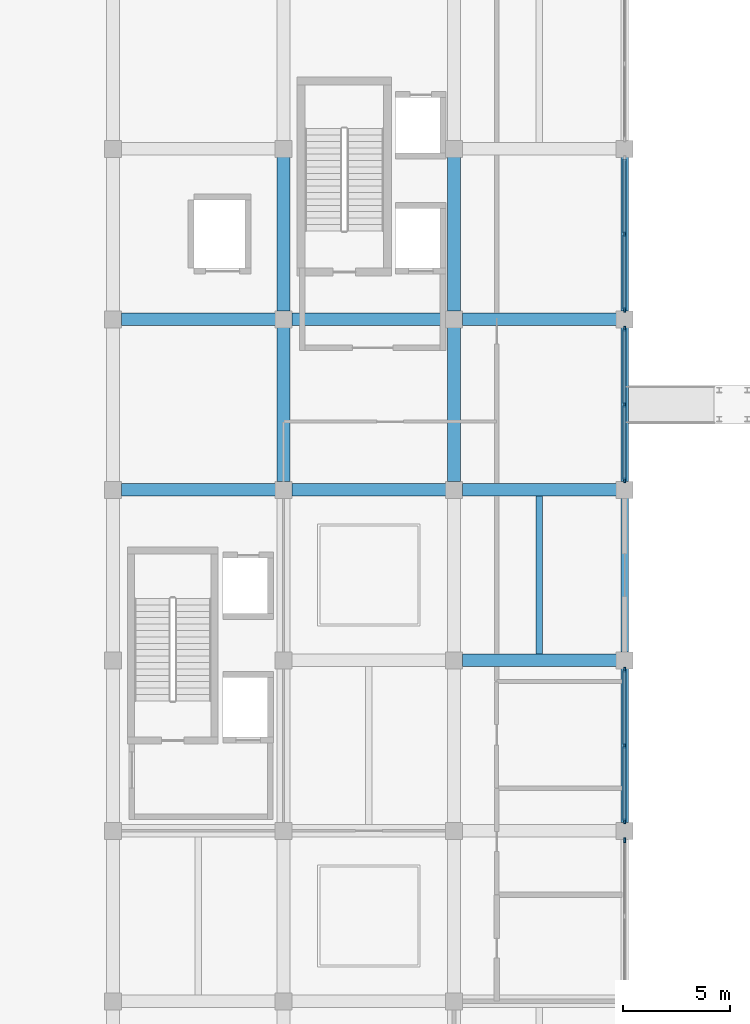
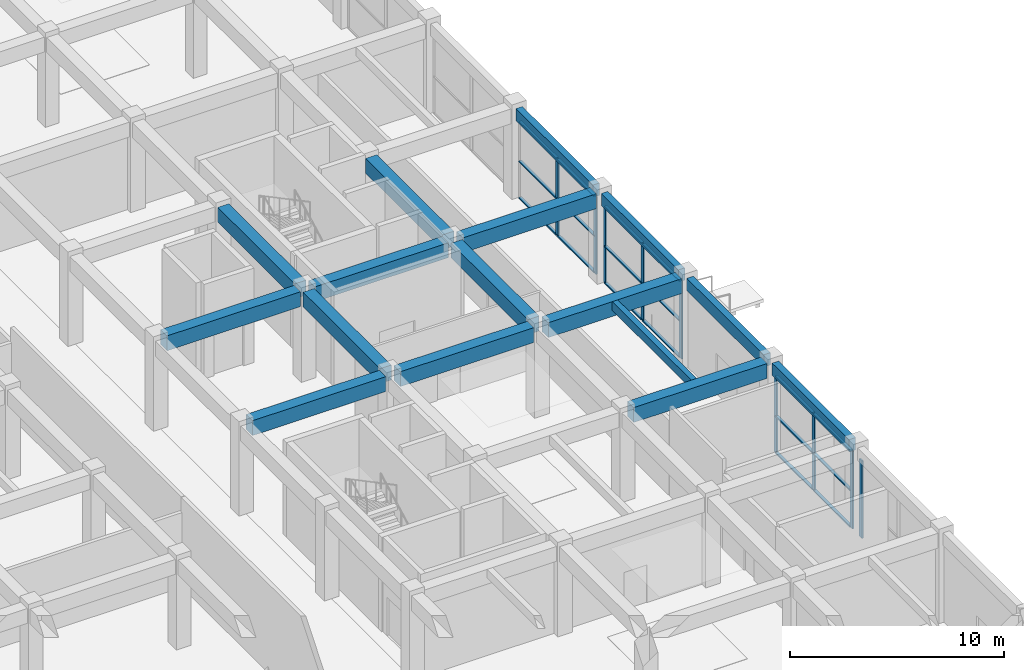
# One storey, part 38 of 86: 27 members, 16 beams, 4 elements without a shape of their own.
"""IFC4 building model written with IfcOpenShell, lengths in metres."""

import ifcopenshell
import ifcopenshell.guid

model = None  # the IFC model being written
_history = None  # IfcOwnerHistory: only IFC2X3 demands one
_inside = {}  # id of a spatial element -> (the spatial element, [elements in it])
_under = {}  # id of a project, library or spatial element -> (it, [spatial elements below it])
_declared = {}  # id of a project -> (the project, [libraries it declares])
_typed = {}  # id of a type object -> (the type object, [elements of that type])
_made_of = {}  # id of a material, layer set ... -> (it, [elements and type objects made of it])


def new_model(schema):
    """Start an empty IFC model of exactly this schema.

    Asked for "IFC4X3", IfcOpenShell would pick the latest addendum, in which some entities
    have other attributes; the version numbers below select the first issue.
    IFC2X3 requires an IfcOwnerHistory on every rooted entity: one is made here for all.
    """
    global model, _history
    if schema == "IFC4X3":
        model = ifcopenshell.file(schema_version=(4, 3, 0, 0))
    else:
        model = ifcopenshell.file(schema=schema)
    _inside.clear()
    _under.clear()
    _declared.clear()
    _typed.clear()
    _made_of.clear()
    _history = None
    if model.schema == "IFC2X3":
        org = make("IfcOrganization", Name="unknown")
        user = make(
            "IfcPersonAndOrganization",
            ThePerson=make("IfcPerson", FamilyName="unknown"),
            TheOrganization=org,
        )
        app = make(
            "IfcApplication",
            ApplicationDeveloper=org,
            Version="unknown",
            ApplicationFullName="unknown",
            ApplicationIdentifier="unknown",
        )
        _history = make(
            "IfcOwnerHistory",
            OwningUser=user,
            OwningApplication=app,
            ChangeAction="ADDED",
            CreationDate=0,
        )
    return model


def make(cls, **values):
    """One entity of the class cls with the attributes given. An attribute that is None is left unset."""
    return model.create_entity(
        cls, **{name: value for name, value in values.items() if value is not None}
    )


def rooted(cls, **values):
    """An entity with a GlobalId (a new one), such as an element, a storey or a relation."""
    return make(cls, GlobalId=ifcopenshell.guid.new(), OwnerHistory=_history, **values)


def si_unit(unit_type, name, prefix=None):
    """IfcSIUnit, for example si_unit("LENGTHUNIT", "METRE", prefix="MILLI")."""
    return make("IfcSIUnit", UnitType=unit_type, Prefix=prefix, Name=name)


def assignment(units):
    """IfcUnitAssignment: the units of a project."""
    return None if units is None else make("IfcUnitAssignment", Units=units)


def point(xyz):
    """IfcCartesianPoint."""
    return None if xyz is None else make("IfcCartesianPoint", Coordinates=xyz)


def direction(xyz):
    """IfcDirection."""
    return None if xyz is None else make("IfcDirection", DirectionRatios=xyz)


def frame(location, z_axis=None, x_axis=None):
    """IfcAxis2Placement3D, a coordinate frame: its origin and axes. An axis left out is left unset."""
    return make(
        "IfcAxis2Placement3D",
        Location=point(location),
        Axis=direction(z_axis),
        RefDirection=direction(x_axis),
    )


def frame_2d(location, x_axis=None):
    """IfcAxis2Placement2D, a coordinate frame in the plane: its origin and x axis."""
    return make(
        "IfcAxis2Placement2D", Location=point(location), RefDirection=direction(x_axis)
    )


def origin():
    """The frame at (0, 0, 0) with its axes left unset."""
    return frame((0.0, 0.0, 0.0))


def origin_2d():
    """The frame at (0, 0) in the plane with its x axis left unset."""
    return frame_2d((0.0, 0.0))


def place(relative_to, where):
    """IfcLocalPlacement: puts the frame where relative to a parent placement (None: the world)."""
    return make(
        "IfcLocalPlacement", PlacementRelTo=relative_to, RelativePlacement=where
    )


def context(
    kind, dimensions, precision=None, world=None, true_north=None, identifier=None
):
    """IfcGeometricRepresentationContext, for example the 3D "Model" context."""
    return make(
        "IfcGeometricRepresentationContext",
        ContextIdentifier=identifier,
        ContextType=kind,
        CoordinateSpaceDimension=dimensions,
        Precision=precision,
        WorldCoordinateSystem=world,
        TrueNorth=true_north,
    )


def subcontext(parent, identifier, kind, view, scale=None):
    """IfcGeometricRepresentationSubContext, for example "Body" below "Model"."""
    return make(
        "IfcGeometricRepresentationSubContext",
        ContextIdentifier=identifier,
        ContextType=kind,
        ParentContext=parent,
        TargetScale=scale,
        TargetView=view,
    )


def project(units=None, contexts=None):
    """IfcProject with its units and contexts."""
    return rooted(
        "IfcProject",
        Name="project",
        RepresentationContexts=contexts,
        UnitsInContext=assignment(units),
    )


def spatial(cls, under=None, at=None, **own):
    """A site, building, storey or space (cls), placed at a placement, below another one or the project."""
    s = rooted(cls, ObjectPlacement=at, **own)
    if under is not None:
        _under.setdefault(under.id(), (under, []))[1].append(s)
    return s


def profile(cls, at=None, kind="AREA", **sizes):
    """A parametric profile (cls). Its sizes go by their IFC names, for example OverallWidth=200.0."""
    return make(cls, ProfileType=kind, Position=at, **sizes)


def rectangle(**sizes):
    """IfcRectangleProfileDef."""
    return profile("IfcRectangleProfileDef", **sizes)


def extrude(swept, where, along, depth):
    """IfcExtrudedAreaSolid: the profile swept, set in the frame where, extruded along a direction by depth."""
    return make(
        "IfcExtrudedAreaSolid",
        SweptArea=swept,
        Position=where,
        ExtrudedDirection=direction(along),
        Depth=depth,
    )


def shape(context_of_items, identifier, shape_type, items):
    """IfcShapeRepresentation: the items that make up one representation, for example the "Body"."""
    return make(
        "IfcShapeRepresentation",
        ContextOfItems=context_of_items,
        RepresentationIdentifier=identifier,
        RepresentationType=shape_type,
        Items=items,
    )


def material(Name=None, Category=None):
    """IfcMaterial."""
    return make("IfcMaterial", Name=Name, Category=Category)


def material_profile(
    of_material, cross_section, Name=None, Category=None, Priority=None
):
    """IfcMaterialProfile: a cross section and its material."""
    return make(
        "IfcMaterialProfile",
        Name=Name,
        Material=of_material,
        Profile=cross_section,
        Priority=Priority,
        Category=Category,
    )


def profile_set(profiles, Name=None, composite=None):
    """IfcMaterialProfileSet."""
    return make(
        "IfcMaterialProfileSet",
        Name=Name,
        MaterialProfiles=profiles,
        CompositeProfile=composite,
    )


def made_of(thing, what):
    """Note that an element or type object is made of a material, layer set ...; save() writes the relation."""
    if what is not None:
        _made_of.setdefault(what.id(), (what, []))[1].append(thing)
    return thing


def type_object(cls, material=None, **own):
    """A type object (cls), such as IfcWallType, which elements share."""
    return made_of(rooted(cls, **own), material)


def element(
    cls,
    number,
    at=None,
    inside=None,
    cuts=None,
    type_object=None,
    material=None,
    context=None,
    identifier="Body",
    shape_type=None,
    held_by="IfcProductDefinitionShape",
    body=None,
    shapes=None,
    **own,
):
    """One element of the class cls, such as IfcWall. Its Tag is "e" and its number.

    at: its placement. inside: the storey or other place that contains it. cuts: it is an
    opening in that element (IfcRelVoidsElement). A single representation is given by context,
    identifier, shape_type and body (its items); several are given by shapes. held_by: the class
    of the entity that holds the representations. save() writes the other relations.
    """
    e = rooted(cls, Tag="e%d" % number, ObjectPlacement=at, **own)
    if body is not None:
        shapes = [shape(context, identifier, shape_type, body)]
    if shapes is not None:
        e.Representation = make(held_by, Representations=shapes)
    if inside is not None:
        _inside.setdefault(inside.id(), (inside, []))[1].append(e)
    if cuts is not None:
        rooted(
            "IfcRelVoidsElement", RelatingBuildingElement=cuts, RelatedOpeningElement=e
        )
    if type_object is not None:
        _typed.setdefault(type_object.id(), (type_object, []))[1].append(e)
    return made_of(e, material)


def aggregate(whole, parts):
    """IfcRelAggregates: a whole, such as a stair, and the parts it consists of."""
    return rooted("IfcRelAggregates", RelatingObject=whole, RelatedObjects=parts)


def save(model, path):
    """Write the relations noted so far, then the file.

    IfcRelAggregates (storeys below a building ...), IfcRelContainedInSpatialStructure (elements
    in a storey), IfcRelDefinesByType, IfcRelAssociatesMaterial and IfcRelDeclares: one each for
    every whole, place, type object, material and project.
    """
    for whole, parts in _under.values():
        aggregate(whole, parts)
    for where, things in _inside.values():
        rooted(
            "IfcRelContainedInSpatialStructure",
            RelatedElements=things,
            RelatingStructure=where,
        )
    for kind, things in _typed.values():
        rooted("IfcRelDefinesByType", RelatedObjects=things, RelatingType=kind)
    for what, things in _made_of.values():
        rooted("IfcRelAssociatesMaterial", RelatedObjects=things, RelatingMaterial=what)
    for by, libraries in _declared.values():
        rooted("IfcRelDeclares", RelatingContext=by, RelatedDefinitions=libraries)
    model.write(path)


model = new_model("IFC4")

# Units and contexts
model_context = context("Model", 3, precision=1e-05, world=origin(), true_north=direction((0.0, 1.0)))
body_context = subcontext(model_context, "Body", "Model", "MODEL_VIEW")
ifc_project = project(units=[si_unit("LENGTHUNIT", "METRE"), si_unit("AREAUNIT", "SQUARE_METRE"), si_unit("VOLUMEUNIT", "CUBIC_METRE"), si_unit("PLANEANGLEUNIT", "RADIAN"), si_unit("MASSUNIT", "GRAM", prefix="KILO")], contexts=[model_context])

# Site, building, storey
site_placement = place(None, origin())
site = spatial("IfcSite", under=ifc_project, at=site_placement, CompositionType="ELEMENT")
building_placement = place(site_placement, origin())
building = spatial("IfcBuilding", under=site, at=building_placement, Name="Kenh Van Central Station", CompositionType="ELEMENT")
storey_placement = place(building_placement, origin())
storey = spatial("IfcBuildingStorey", under=building, at=storey_placement, Name="L00", CompositionType="ELEMENT", Elevation=0.0)

# Beams
ifc_material_1 = material(Name="Concrete C35/45", Category="concrete")
ifc_material_profile_1 = material_profile(ifc_material_1, rectangle(XDim=0.60009765625, YDim=0.85009765625, at=origin_2d()), Name="RC 600x850")
ifc_profile_set_1 = profile_set([ifc_material_profile_1], Name="Concrete C35/45")
beam_type_1 = type_object("IfcBeamType", Name="BM-RC-600x850", PredefinedType="BEAM", material=ifc_profile_set_1)
for number, where, z_axis, x_axis, name in (
    (1, (168.389892578125, 32.0, 4.695068359375), (1.0, 0.0, 0.0), (0.0, 1.0, 0.0), "L00 beam 0405"),
    (2, (152.389892578125, 40.0, 4.695068359375), (1.0, 0.0, 0.0), (0.0, 1.0, 0.0), "L00 beam 0423"),
    (3, (160.389892578125, 40.0, 4.695068359375), (1.0, 0.0, 0.0), (0.0, 1.0, 0.0), "L00 beam 0424"),
    (4, (168.389892578125, 40.0, 4.695068359375), (1.0, 0.0, 0.0), (0.0, 1.0, 0.0), "L00 beam 0425"),
    (5, (152.389892578125, 48.0, 4.695068359375), (1.0, 0.0, 0.0), (0.0, 1.0, 0.0), "L00 beam 0434"),
    (6, (160.389892578125, 48.0, 4.695068359375), (1.0, 0.0, 0.0), (0.0, 1.0, 0.0), "L00 beam 0435"),
    (7, (168.389892578125, 48.0, 4.695068359375), (1.0, 0.0, 0.0), (0.0, 1.0, 0.0), "L00 beam 0436"),
    (8, (160.0, 40.389892578125, 4.695068359375), (0.0, 1.0, 0.0), (-1.0, 0.0, 0.0), "L00 beam 0559"),
    (9, (160.0, 48.389892578125, 4.695068359375), (0.0, 1.0, 0.0), (-1.0, 0.0, 0.0), "L00 beam 0560"),
    (10, (168.0, 40.389892578125, 4.695068359375), (0.0, 1.0, 0.0), (-1.0, 0.0, 0.0), "L00 beam 0570"),
    (11, (168.0, 48.389892578125, 4.695068359375), (0.0, 1.0, 0.0), (-1.0, 0.0, 0.0), "L00 beam 0571"),
):
    element("IfcBeam", number, at=place(storey_placement, frame(where, z_axis=z_axis, x_axis=x_axis)), inside=storey, type_object=beam_type_1, Name=name, PredefinedType="BEAM", context=body_context, shape_type="SweptSolid", body=[
        extrude(rectangle(XDim=0.60009765625, YDim=0.85009765625, at=origin_2d()), origin(), (0.0, 0.0, 1.0), 7.22021484375),
    ])

# Curtain wall, member
ifc_material_2 = material(Name="Champagne anodised aluminium", Category="aluminium")
curtain_wall_type = type_object("IfcCurtainWallType", Name="CW-OPER-A", PredefinedType="NOTDEFINED", material=ifc_material_2)
curtain_wall_1_placement = place(storey_placement, origin())
curtain_wall_1 = element("IfcCurtainWall", 12, at=curtain_wall_1_placement, inside=storey, type_object=curtain_wall_type, Name="L00 curtain wall 054", PredefinedType="NOTDEFINED")
ifc_material_profile_2 = material_profile(ifc_material_2, rectangle(XDim=0.087890625, YDim=0.239990234375, at=origin_2d()), Name="AL 88x240")
ifc_profile_set_2 = profile_set([ifc_material_profile_2], Name="Champagne anodised aluminium")
member_type_1 = type_object("IfcMemberType", Name="CWM-60x140", PredefinedType="MULLION", material=ifc_profile_set_2)
member_1_placement = place(storey_placement, frame((176.0, 23.555908203125, 0.0), z_axis=(0.0, 0.0, 1.0), x_axis=(-1.0, 0.0, 0.0)))
member_1 = element("IfcMember", 13, at=member_1_placement, type_object=member_type_1, Name="CW-07 mullion 3", PredefinedType="MULLION", context=body_context, shape_type="SweptSolid", body=[
    extrude(rectangle(XDim=0.087890625, YDim=0.239990234375, at=origin_2d()), origin(), (0.0, 0.0, 1.0), 4.419921875),
])
aggregate(curtain_wall_1, [member_1])

# Curtain wall, members
curtain_wall_2_placement = place(storey_placement, origin())
curtain_wall_2 = element("IfcCurtainWall", 14, at=curtain_wall_2_placement, inside=storey, type_object=curtain_wall_type, Name="L00 curtain wall 055", PredefinedType="NOTDEFINED")
member_2_placement = place(storey_placement, frame((176.0, 24.444091796875, 0.0), z_axis=(0.0, 0.0, 1.0), x_axis=(-1.0, 0.0, 0.0)))
member_2 = element("IfcMember", 15, at=member_2_placement, type_object=member_type_1, Name="CW-07 mullion 1", PredefinedType="MULLION", context=body_context, shape_type="SweptSolid", body=[
    extrude(rectangle(XDim=0.087890625, YDim=0.239990234375, at=origin_2d()), origin(), (0.0, 0.0, 1.0), 4.419921875),
])
member_3_placement = place(storey_placement, frame((176.0, 28.0, 0.0), z_axis=(0.0, 0.0, 1.0), x_axis=(-1.0, 0.0, 0.0)))
member_3 = element("IfcMember", 16, at=member_3_placement, type_object=member_type_1, Name="CW-07 mullion 2", PredefinedType="MULLION", context=body_context, shape_type="SweptSolid", body=[
    extrude(rectangle(XDim=0.087890625, YDim=0.239990234375, at=origin_2d()), origin(), (0.0, 0.0, 1.0), 4.419921875),
])
member_4_placement = place(storey_placement, frame((176.0, 31.555908203125, 0.0), z_axis=(0.0, 0.0, 1.0), x_axis=(-1.0, 0.0, 0.0)))
member_4 = element("IfcMember", 17, at=member_4_placement, type_object=member_type_1, Name="CW-07 mullion 3", PredefinedType="MULLION", context=body_context, shape_type="SweptSolid", body=[
    extrude(rectangle(XDim=0.087890625, YDim=0.239990234375, at=origin_2d()), origin(), (0.0, 0.0, 1.0), 4.419921875),
])

curtain_wall_3_placement = place(storey_placement, origin())
curtain_wall_3 = element("IfcCurtainWall", 18, at=curtain_wall_3_placement, inside=storey, type_object=curtain_wall_type, Name="L00 curtain wall 056", PredefinedType="NOTDEFINED")
member_5_placement = place(storey_placement, frame((176.0, 40.444091796875, 0.0), z_axis=(0.0, 0.0, 1.0), x_axis=(-1.0, 0.0, 0.0)))
member_5 = element("IfcMember", 19, at=member_5_placement, type_object=member_type_1, Name="CW-07 mullion 1", PredefinedType="MULLION", context=body_context, shape_type="SweptSolid", body=[
    extrude(rectangle(XDim=0.087890625, YDim=0.239990234375, at=origin_2d()), origin(), (0.0, 0.0, 1.0), 4.419921875),
])
member_6_placement = place(storey_placement, frame((176.0, 44.0, 0.0), z_axis=(0.0, 0.0, 1.0), x_axis=(-1.0, 0.0, 0.0)))
member_6 = element("IfcMember", 20, at=member_6_placement, type_object=member_type_1, Name="CW-07 mullion 2", PredefinedType="MULLION", context=body_context, shape_type="SweptSolid", body=[
    extrude(rectangle(XDim=0.087890625, YDim=0.239990234375, at=origin_2d()), origin(), (0.0, 0.0, 1.0), 4.419921875),
])
member_7_placement = place(storey_placement, frame((176.0, 47.555908203125, 0.0), z_axis=(0.0, 0.0, 1.0), x_axis=(-1.0, 0.0, 0.0)))
member_7 = element("IfcMember", 21, at=member_7_placement, type_object=member_type_1, Name="CW-07 mullion 3", PredefinedType="MULLION", context=body_context, shape_type="SweptSolid", body=[
    extrude(rectangle(XDim=0.087890625, YDim=0.239990234375, at=origin_2d()), origin(), (0.0, 0.0, 1.0), 4.419921875),
])

curtain_wall_4_placement = place(storey_placement, origin())
curtain_wall_4 = element("IfcCurtainWall", 22, at=curtain_wall_4_placement, inside=storey, type_object=curtain_wall_type, Name="L00 curtain wall 057", PredefinedType="NOTDEFINED")
member_8_placement = place(storey_placement, frame((176.0, 48.444091796875, 0.0), z_axis=(0.0, 0.0, 1.0), x_axis=(-1.0, 0.0, 0.0)))
member_8 = element("IfcMember", 23, at=member_8_placement, type_object=member_type_1, Name="CW-07 mullion 1", PredefinedType="MULLION", context=body_context, shape_type="SweptSolid", body=[
    extrude(rectangle(XDim=0.087890625, YDim=0.239990234375, at=origin_2d()), origin(), (0.0, 0.0, 1.0), 4.419921875),
])
member_9_placement = place(storey_placement, frame((176.0, 52.0, 0.0), z_axis=(0.0, 0.0, 1.0), x_axis=(-1.0, 0.0, 0.0)))
member_9 = element("IfcMember", 24, at=member_9_placement, type_object=member_type_1, Name="CW-07 mullion 2", PredefinedType="MULLION", context=body_context, shape_type="SweptSolid", body=[
    extrude(rectangle(XDim=0.087890625, YDim=0.239990234375, at=origin_2d()), origin(), (0.0, 0.0, 1.0), 4.419921875),
])

# Member
ifc_material_profile_3 = material_profile(ifc_material_2, rectangle(XDim=0.155029296875, YDim=0.072021484375, at=origin_2d()), Name="AL 155x72")
ifc_profile_set_3 = profile_set([ifc_material_profile_3], Name="Champagne anodised aluminium")
member_type_2 = type_object("IfcMemberType", Name="CWT-120x60", PredefinedType="USERDEFINED", material=ifc_profile_set_3)
member_10_placement = place(storey_placement, frame((176.0, 24.488037109375, 0.035888671875), z_axis=(0.0, 1.0, 0.0), x_axis=(-1.0, 0.0, 0.0)))
member_10 = element("IfcMember", 25, at=member_10_placement, type_object=member_type_2, Name="CW-07 transom 1.1", ObjectType="TRANSOM", PredefinedType="USERDEFINED", context=body_context, shape_type="SweptSolid", body=[
    extrude(rectangle(XDim=0.155029296875, YDim=0.072021484375, at=origin_2d()), origin(), (0.0, 0.0, 1.0), 3.468017578125),
])

member_11_placement = place(storey_placement, frame((176.0, 24.488037109375, 2.12158203125), z_axis=(0.0, 1.0, 0.0), x_axis=(-1.0, 0.0, 0.0)))
member_11 = element("IfcMember", 26, at=member_11_placement, type_object=member_type_2, Name="CW-07 transom 1.2", ObjectType="TRANSOM", PredefinedType="USERDEFINED", context=body_context, shape_type="SweptSolid", body=[
    extrude(rectangle(XDim=0.155029296875, YDim=0.072021484375, at=origin_2d()), origin(), (0.0, 0.0, 1.0), 3.468017578125),
])

member_12_placement = place(storey_placement, frame((176.0, 24.488037109375, 4.384033203125), z_axis=(0.0, 1.0, 0.0), x_axis=(-1.0, 0.0, 0.0)))
member_12 = element("IfcMember", 27, at=member_12_placement, type_object=member_type_2, Name="CW-07 transom 1.3", ObjectType="TRANSOM", PredefinedType="USERDEFINED", context=body_context, shape_type="SweptSolid", body=[
    extrude(rectangle(XDim=0.155029296875, YDim=0.072021484375, at=origin_2d()), origin(), (0.0, 0.0, 1.0), 3.468017578125),
])

member_13_placement = place(storey_placement, frame((176.0, 28.0439453125, 0.035888671875), z_axis=(0.0, 1.0, 0.0), x_axis=(-1.0, 0.0, 0.0)))
member_13 = element("IfcMember", 28, at=member_13_placement, type_object=member_type_2, Name="CW-07 transom 2.1", ObjectType="TRANSOM", PredefinedType="USERDEFINED", context=body_context, shape_type="SweptSolid", body=[
    extrude(rectangle(XDim=0.155029296875, YDim=0.072021484375, at=origin_2d()), origin(), (0.0, 0.0, 1.0), 3.468017578125),
])

member_14_placement = place(storey_placement, frame((176.0, 28.0439453125, 2.12158203125), z_axis=(0.0, 1.0, 0.0), x_axis=(-1.0, 0.0, 0.0)))
member_14 = element("IfcMember", 29, at=member_14_placement, type_object=member_type_2, Name="CW-07 transom 2.2", ObjectType="TRANSOM", PredefinedType="USERDEFINED", context=body_context, shape_type="SweptSolid", body=[
    extrude(rectangle(XDim=0.155029296875, YDim=0.072021484375, at=origin_2d()), origin(), (0.0, 0.0, 1.0), 3.468017578125),
])

member_15_placement = place(storey_placement, frame((176.0, 28.0439453125, 4.384033203125), z_axis=(0.0, 1.0, 0.0), x_axis=(-1.0, 0.0, 0.0)))
member_15 = element("IfcMember", 30, at=member_15_placement, type_object=member_type_2, Name="CW-07 transom 2.3", ObjectType="TRANSOM", PredefinedType="USERDEFINED", context=body_context, shape_type="SweptSolid", body=[
    extrude(rectangle(XDim=0.155029296875, YDim=0.072021484375, at=origin_2d()), origin(), (0.0, 0.0, 1.0), 3.468017578125),
])

aggregate(curtain_wall_2, [member_2, member_3, member_4, member_10, member_11, member_12, member_13, member_14, member_15])

member_16_placement = place(storey_placement, frame((176.0, 40.488037109375, 0.035888671875), z_axis=(0.0, 1.0, 0.0), x_axis=(-1.0, 0.0, 0.0)))
member_16 = element("IfcMember", 31, at=member_16_placement, type_object=member_type_2, Name="CW-07 transom 1.1", ObjectType="TRANSOM", PredefinedType="USERDEFINED", context=body_context, shape_type="SweptSolid", body=[
    extrude(rectangle(XDim=0.155029296875, YDim=0.072021484375, at=origin_2d()), origin(), (0.0, 0.0, 1.0), 3.468017578125),
])

member_17_placement = place(storey_placement, frame((176.0, 40.488037109375, 2.12158203125), z_axis=(0.0, 1.0, 0.0), x_axis=(-1.0, 0.0, 0.0)))
member_17 = element("IfcMember", 32, at=member_17_placement, type_object=member_type_2, Name="CW-07 transom 1.2", ObjectType="TRANSOM", PredefinedType="USERDEFINED", context=body_context, shape_type="SweptSolid", body=[
    extrude(rectangle(XDim=0.155029296875, YDim=0.072021484375, at=origin_2d()), origin(), (0.0, 0.0, 1.0), 3.468017578125),
])

member_18_placement = place(storey_placement, frame((176.0, 40.488037109375, 4.384033203125), z_axis=(0.0, 1.0, 0.0), x_axis=(-1.0, 0.0, 0.0)))
member_18 = element("IfcMember", 33, at=member_18_placement, type_object=member_type_2, Name="CW-07 transom 1.3", ObjectType="TRANSOM", PredefinedType="USERDEFINED", context=body_context, shape_type="SweptSolid", body=[
    extrude(rectangle(XDim=0.155029296875, YDim=0.072021484375, at=origin_2d()), origin(), (0.0, 0.0, 1.0), 3.468017578125),
])

member_19_placement = place(storey_placement, frame((176.0, 44.0439453125, 0.035888671875), z_axis=(0.0, 1.0, 0.0), x_axis=(-1.0, 0.0, 0.0)))
member_19 = element("IfcMember", 34, at=member_19_placement, type_object=member_type_2, Name="CW-07 transom 2.1", ObjectType="TRANSOM", PredefinedType="USERDEFINED", context=body_context, shape_type="SweptSolid", body=[
    extrude(rectangle(XDim=0.155029296875, YDim=0.072021484375, at=origin_2d()), origin(), (0.0, 0.0, 1.0), 3.468017578125),
])

member_20_placement = place(storey_placement, frame((176.0, 44.0439453125, 2.12158203125), z_axis=(0.0, 1.0, 0.0), x_axis=(-1.0, 0.0, 0.0)))
member_20 = element("IfcMember", 35, at=member_20_placement, type_object=member_type_2, Name="CW-07 transom 2.2", ObjectType="TRANSOM", PredefinedType="USERDEFINED", context=body_context, shape_type="SweptSolid", body=[
    extrude(rectangle(XDim=0.155029296875, YDim=0.072021484375, at=origin_2d()), origin(), (0.0, 0.0, 1.0), 3.468017578125),
])

member_21_placement = place(storey_placement, frame((176.0, 44.0439453125, 4.384033203125), z_axis=(0.0, 1.0, 0.0), x_axis=(-1.0, 0.0, 0.0)))
member_21 = element("IfcMember", 36, at=member_21_placement, type_object=member_type_2, Name="CW-07 transom 2.3", ObjectType="TRANSOM", PredefinedType="USERDEFINED", context=body_context, shape_type="SweptSolid", body=[
    extrude(rectangle(XDim=0.155029296875, YDim=0.072021484375, at=origin_2d()), origin(), (0.0, 0.0, 1.0), 3.468017578125),
])

aggregate(curtain_wall_3, [member_5, member_6, member_7, member_16, member_17, member_18, member_19, member_20, member_21])

member_22_placement = place(storey_placement, frame((176.0, 48.488037109375, 0.035888671875), z_axis=(0.0, 1.0, 0.0), x_axis=(-1.0, 0.0, 0.0)))
member_22 = element("IfcMember", 37, at=member_22_placement, type_object=member_type_2, Name="CW-07 transom 1.1", ObjectType="TRANSOM", PredefinedType="USERDEFINED", context=body_context, shape_type="SweptSolid", body=[
    extrude(rectangle(XDim=0.155029296875, YDim=0.072021484375, at=origin_2d()), origin(), (0.0, 0.0, 1.0), 3.468017578125),
])

member_23_placement = place(storey_placement, frame((176.0, 48.488037109375, 2.12158203125), z_axis=(0.0, 1.0, 0.0), x_axis=(-1.0, 0.0, 0.0)))
member_23 = element("IfcMember", 38, at=member_23_placement, type_object=member_type_2, Name="CW-07 transom 1.2", ObjectType="TRANSOM", PredefinedType="USERDEFINED", context=body_context, shape_type="SweptSolid", body=[
    extrude(rectangle(XDim=0.155029296875, YDim=0.072021484375, at=origin_2d()), origin(), (0.0, 0.0, 1.0), 3.468017578125),
])

member_24_placement = place(storey_placement, frame((176.0, 48.488037109375, 4.384033203125), z_axis=(0.0, 1.0, 0.0), x_axis=(-1.0, 0.0, 0.0)))
member_24 = element("IfcMember", 39, at=member_24_placement, type_object=member_type_2, Name="CW-07 transom 1.3", ObjectType="TRANSOM", PredefinedType="USERDEFINED", context=body_context, shape_type="SweptSolid", body=[
    extrude(rectangle(XDim=0.155029296875, YDim=0.072021484375, at=origin_2d()), origin(), (0.0, 0.0, 1.0), 3.468017578125),
])

member_25_placement = place(storey_placement, frame((176.0, 52.0439453125, 0.035888671875), z_axis=(0.0, 1.0, 0.0), x_axis=(-1.0, 0.0, 0.0)))
member_25 = element("IfcMember", 40, at=member_25_placement, type_object=member_type_2, Name="CW-07 transom 2.1", ObjectType="TRANSOM", PredefinedType="USERDEFINED", context=body_context, shape_type="SweptSolid", body=[
    extrude(rectangle(XDim=0.155029296875, YDim=0.072021484375, at=origin_2d()), origin(), (0.0, 0.0, 1.0), 3.468017578125),
])

member_26_placement = place(storey_placement, frame((176.0, 52.0439453125, 2.12158203125), z_axis=(0.0, 1.0, 0.0), x_axis=(-1.0, 0.0, 0.0)))
member_26 = element("IfcMember", 41, at=member_26_placement, type_object=member_type_2, Name="CW-07 transom 2.2", ObjectType="TRANSOM", PredefinedType="USERDEFINED", context=body_context, shape_type="SweptSolid", body=[
    extrude(rectangle(XDim=0.155029296875, YDim=0.072021484375, at=origin_2d()), origin(), (0.0, 0.0, 1.0), 3.468017578125),
])

member_27_placement = place(storey_placement, frame((176.0, 52.0439453125, 4.384033203125), z_axis=(0.0, 1.0, 0.0), x_axis=(-1.0, 0.0, 0.0)))
member_27 = element("IfcMember", 42, at=member_27_placement, type_object=member_type_2, Name="CW-07 transom 2.3", ObjectType="TRANSOM", PredefinedType="USERDEFINED", context=body_context, shape_type="SweptSolid", body=[
    extrude(rectangle(XDim=0.155029296875, YDim=0.072021484375, at=origin_2d()), origin(), (0.0, 0.0, 1.0), 3.468017578125),
])

aggregate(curtain_wall_4, [member_8, member_9, member_22, member_23, member_24, member_25, member_26, member_27])

# Beams
ifc_material_profile_4 = material_profile(ifc_material_1, rectangle(XDim=0.300048828125, YDim=0.5, at=origin_2d()), Name="RC 300x500")
ifc_profile_set_4 = profile_set([ifc_material_profile_4], Name="Concrete C35/45")
beam_type_2 = type_object("IfcBeamType", Name="JST-RC-300x500", PredefinedType="JOIST", material=ifc_profile_set_4)
beam_placement = place(storey_placement, frame((172.0, 32.300048828125, 4.8701171875), z_axis=(0.0, 1.0, 0.0), x_axis=(-1.0, 0.0, 0.0)))
element("IfcBeam", 43, at=beam_placement, inside=storey, type_object=beam_type_2, Name="L00 floor joist 0611", PredefinedType="JOIST", context=body_context, shape_type="SweptSolid", body=[
    extrude(rectangle(XDim=0.300048828125, YDim=0.5, at=origin_2d()), origin(), (0.0, 0.0, 1.0), 7.39990234375),
])
ifc_material_profile_5 = material_profile(ifc_material_1, rectangle(XDim=0.35009765625, YDim=0.699951171875, at=origin_2d()), Name="RC 350x700")
ifc_profile_set_5 = profile_set([ifc_material_profile_5], Name="Concrete C35/45")
beam_type_3 = type_object("IfcBeamType", Name="SPD-RC-350x700", PredefinedType="SPANDREL", material=ifc_profile_set_5)
for number, where, z_axis, x_axis, name in (
    (44, (176.0, 24.389892578125, 4.77001953125), (0.0, 1.0, 0.0), (-1.0, 0.0, 0.0), "L00 beam 0579"),
    (45, (176.0, 32.389892578125, 4.77001953125), (0.0, 1.0, 0.0), (-1.0, 0.0, 0.0), "L00 beam 0580"),
    (46, (176.0, 40.389892578125, 4.77001953125), (0.0, 1.0, 0.0), (-1.0, 0.0, 0.0), "L00 beam 0581"),
    (47, (176.0, 48.389892578125, 4.77001953125), (0.0, 1.0, 0.0), (-1.0, 0.0, 0.0), "L00 beam 0582"),
):
    element("IfcBeam", number, at=place(storey_placement, frame(where, z_axis=z_axis, x_axis=x_axis)), inside=storey, type_object=beam_type_3, Name=name, PredefinedType="SPANDREL", context=body_context, shape_type="SweptSolid", body=[
        extrude(rectangle(XDim=0.35009765625, YDim=0.699951171875, at=origin_2d()), origin(), (0.0, 0.0, 1.0), 7.22021484375),
    ])

save(model, "model.ifc")
